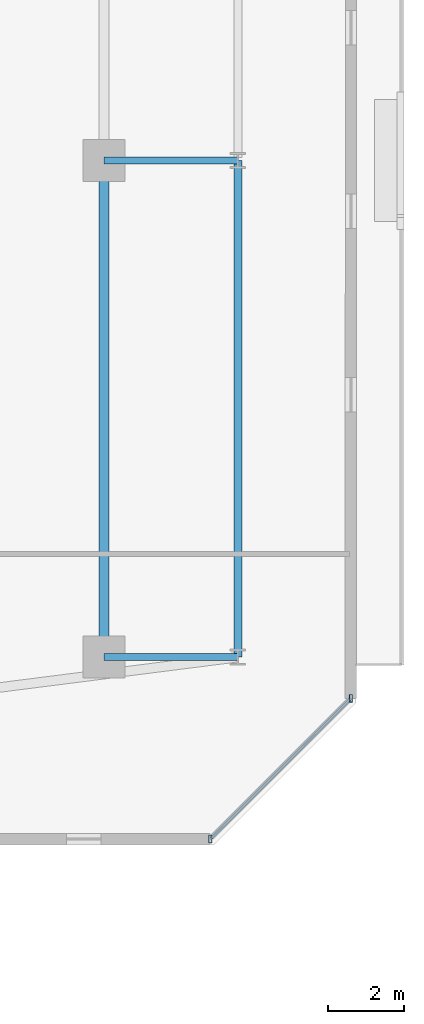
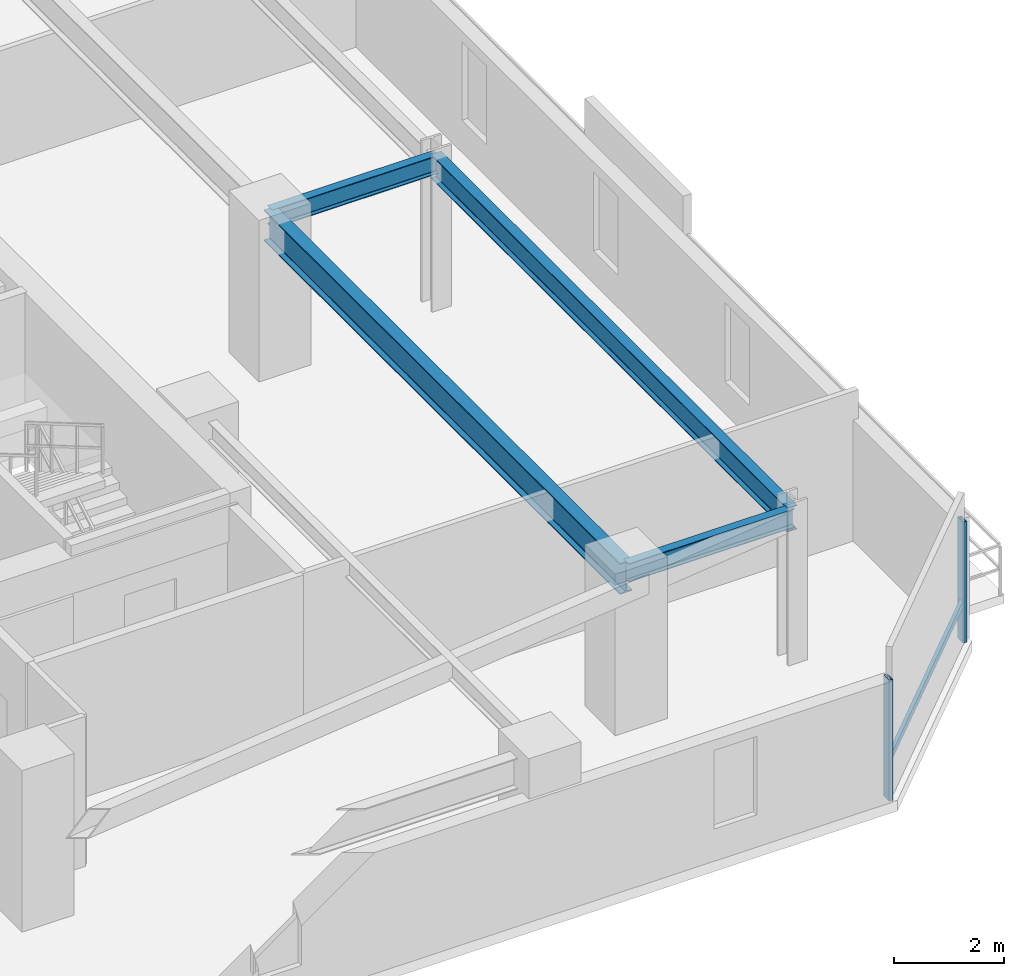
# One storey, part 14 of 32: 4 beams, 3 members, 1 element without a shape of its own.
"""IFC4 building model written with IfcOpenShell, lengths in metres."""

from ifc_helpers import new_model, si_unit, direction, frame, origin, origin_2d, place, context, subcontext, project, spatial, hollow_rectangle, i_section, extrude, material, material_profile, profile_set, type_object, element, aggregate, save


model = new_model("IFC4")

# Units and contexts
model_context = context("Model", 3, precision=1e-05, world=origin(), true_north=direction((0.0, 1.0)))
body_context = subcontext(model_context, "Body", "Model", "MODEL_VIEW")
ifc_project = project(units=[si_unit("LENGTHUNIT", "METRE"), si_unit("AREAUNIT", "SQUARE_METRE"), si_unit("VOLUMEUNIT", "CUBIC_METRE"), si_unit("PLANEANGLEUNIT", "RADIAN"), si_unit("MASSUNIT", "GRAM", prefix="KILO")], contexts=[model_context])

# Site, building, storey
site_placement = place(None, origin())
site = spatial("IfcSite", under=ifc_project, at=site_placement, CompositionType="ELEMENT")
building_placement = place(site_placement, origin())
building = spatial("IfcBuilding", under=site, at=building_placement, Name="Thornwick Lancets Civic Towers", CompositionType="ELEMENT")
storey_placement = place(building_placement, frame((0.0, 0.0, 156.300048828125)))
storey = spatial("IfcBuildingStorey", under=building, at=storey_placement, Name="L41", CompositionType="ELEMENT", Elevation=156.300048828125)

# Beams
ifc_material_1 = material(Name="Steel S355JR", Category="steel")
ifc_material_profile_1 = material_profile(ifc_material_1, i_section(OverallWidth=0.210693359375, OverallDepth=0.53955078125, WebThickness=0.01171875, FlangeThickness=0.018798828125, FilletRadius=0.0126953125, at=origin_2d()), Name="UKB 533x210x109")
ifc_profile_set_1 = profile_set([ifc_material_profile_1], Name="Steel S355JR")
beam_type_1 = type_object("IfcBeamType", Name="BM_EDGE_533_109", PredefinedType="SPANDREL", material=ifc_profile_set_1)
beam_1_placement = place(storey_placement, frame((109.300048828125, 14.0, 3.09033203125), z_axis=(0.0, 1.0, 0.0), x_axis=(-1.0, 0.0, 0.0)))
element("IfcBeam", 1, at=beam_1_placement, inside=storey, type_object=beam_type_1, Name="BM-EDGE-L41-B-S0-1", PredefinedType="SPANDREL", context=body_context, shape_type="SweptSolid", body=[
    extrude(i_section(OverallWidth=0.210693359375, OverallDepth=0.53955078125, WebThickness=0.01171875, FlangeThickness=0.018798828125, FilletRadius=0.0126953125, at=origin_2d()), origin(), (0.0, 0.0, 1.0), 13.0),
])
ifc_material_profile_2 = material_profile(ifc_material_1, i_section(OverallWidth=0.255859375, OverallDepth=0.69287109375, WebThickness=0.014404296875, FlangeThickness=0.023681640625, FilletRadius=0.01513671875, at=origin_2d()), Name="UKB 686x254x170")
ifc_profile_set_2 = profile_set([ifc_material_profile_2], Name="Steel S355JR")
beam_type_2 = type_object("IfcBeamType", Name="BM_GIRD_686_170", PredefinedType="BEAM", material=ifc_profile_set_2)
beam_2_placement = place(storey_placement, frame((105.800048828125, 14.0, 3.013427734375), z_axis=(0.0, 1.0, 0.0), x_axis=(-1.0, 0.0, 0.0)))
element("IfcBeam", 2, at=beam_2_placement, inside=storey, type_object=beam_type_2, Name="BM-SPINE-L41-B-0-1", PredefinedType="BEAM", context=body_context, shape_type="SweptSolid", body=[
    extrude(i_section(OverallWidth=0.255859375, OverallDepth=0.69287109375, WebThickness=0.014404296875, FlangeThickness=0.023681640625, FilletRadius=0.01513671875, at=origin_2d()), origin(), (0.0, 0.0, 1.0), 13.0),
])
ifc_material_profile_3 = material_profile(ifc_material_1, i_section(OverallWidth=0.179443359375, OverallDepth=0.412841796875, WebThickness=0.009521484375, FlangeThickness=0.01611328125, FilletRadius=0.01025390625, at=origin_2d()), Name="UKB 406x178x74")
ifc_profile_set_3 = profile_set([ifc_material_profile_3], Name="Steel S355JR")
beam_type_3 = type_object("IfcBeamType", Name="BM_JOIST_406_74", PredefinedType="JOIST", material=ifc_profile_set_3)
for number, where, z_axis, x_axis, name in (
    (3, (105.800048828125, 14.0, 3.153564453125), (1.0, 0.0, 0.0), (0.0, 1.0, 0.0), "BM-RAD-L41-B01"),
    (4, (105.800048828125, 27.0, 3.153564453125), (1.0, 0.0, 0.0), (0.0, 1.0, 0.0), "BM-RAD-L41-B02"),
):
    element("IfcBeam", number, at=place(storey_placement, frame(where, z_axis=z_axis, x_axis=x_axis)), inside=storey, type_object=beam_type_3, Name=name, PredefinedType="JOIST", context=body_context, shape_type="SweptSolid", body=[
        extrude(i_section(OverallWidth=0.179443359375, OverallDepth=0.412841796875, WebThickness=0.009521484375, FlangeThickness=0.01611328125, FilletRadius=0.01025390625, at=origin_2d()), origin(), (0.0, 0.0, 1.0), 3.5),
    ])

# Curtain wall, members
ifc_material_2 = material(Name="Mid-zone chamfered-corner unitised glass curtain wall", Category="glass")
curtain_wall_type = type_object("IfcCurtainWallType", Name="CW_SYS_04", PredefinedType="NOTDEFINED", material=ifc_material_2)
curtain_wall_placement = place(storey_placement, origin())
curtain_wall = element("IfcCurtainWall", 5, at=curtain_wall_placement, inside=storey, type_object=curtain_wall_type, Name="L41 Curtain Wall CW-L41-B-E1", PredefinedType="NOTDEFINED")
ifc_material_3 = material(Name="Thermally broken bronze aluminium S355", Category="steel")
ifc_material_profile_4 = material_profile(ifc_material_3, hollow_rectangle(XDim=0.080078125, YDim=0.199951171875, WallThickness=0.006103515625, at=origin_2d()), Name="RHS 200x80x6")
ifc_profile_set_4 = profile_set([ifc_material_profile_4], Name="Thermally broken bronze aluminium S355")
member_type_1 = type_object("IfcMemberType", Name="CW_MUL_200", PredefinedType="MULLION", material=ifc_profile_set_4)
member_1_placement = place(storey_placement, frame((108.57763671875, 9.239013671875, 0.0), z_axis=(0.0, 0.0, 1.0), x_axis=(1.0, 0.0, 0.0)))
member_1 = element("IfcMember", 6, at=member_1_placement, type_object=member_type_1, Name="CW-L41-B-E1 Mullion 0", PredefinedType="MULLION", context=body_context, shape_type="SweptSolid", body=[
    extrude(hollow_rectangle(XDim=0.080078125, YDim=0.199951171875, WallThickness=0.006103515625, at=origin_2d()), origin(), (0.0, 0.0, 1.0), 2.699951171875),
])
member_2_placement = place(storey_placement, frame((112.260986328125, 12.92236328125, 0.0), z_axis=(0.0, 0.0, 1.0), x_axis=(1.0, 0.0, 0.0)))
member_2 = element("IfcMember", 7, at=member_2_placement, type_object=member_type_1, Name="CW-L41-B-E1 Mullion 1", PredefinedType="MULLION", context=body_context, shape_type="SweptSolid", body=[
    extrude(hollow_rectangle(XDim=0.080078125, YDim=0.199951171875, WallThickness=0.006103515625, at=origin_2d()), origin(), (0.0, 0.0, 1.0), 2.699951171875),
])
ifc_material_profile_5 = material_profile(ifc_material_3, hollow_rectangle(XDim=0.074951171875, YDim=0.14990234375, WallThickness=0.0048828125, at=origin_2d()), Name="RHS 150x75x5")
ifc_profile_set_5 = profile_set([ifc_material_profile_5], Name="Thermally broken bronze aluminium S355")
member_type_2 = type_object("IfcMemberType", Name="CW_TRN_150", PredefinedType="USERDEFINED", material=ifc_profile_set_5)
member_3_placement = place(storey_placement, frame((108.591796875, 9.253173828125, 0.849853515625), z_axis=(0.707106781187, 0.707106781187, 0.0), x_axis=(-0.707106781187, 0.707106781187, 0.0)))
member_3 = element("IfcMember", 8, at=member_3_placement, type_object=member_type_2, Name="CW-L41-B-E1 Transom 0", ObjectType="TRANSOM", PredefinedType="USERDEFINED", context=body_context, shape_type="SweptSolid", body=[
    extrude(hollow_rectangle(XDim=0.074951171875, YDim=0.14990234375, WallThickness=0.0048828125, at=origin_2d()), origin(), (0.0, 0.0, 1.0), 5.1689453125),
])
aggregate(curtain_wall, [member_1, member_2, member_3])

save(model, "model.ifc")
